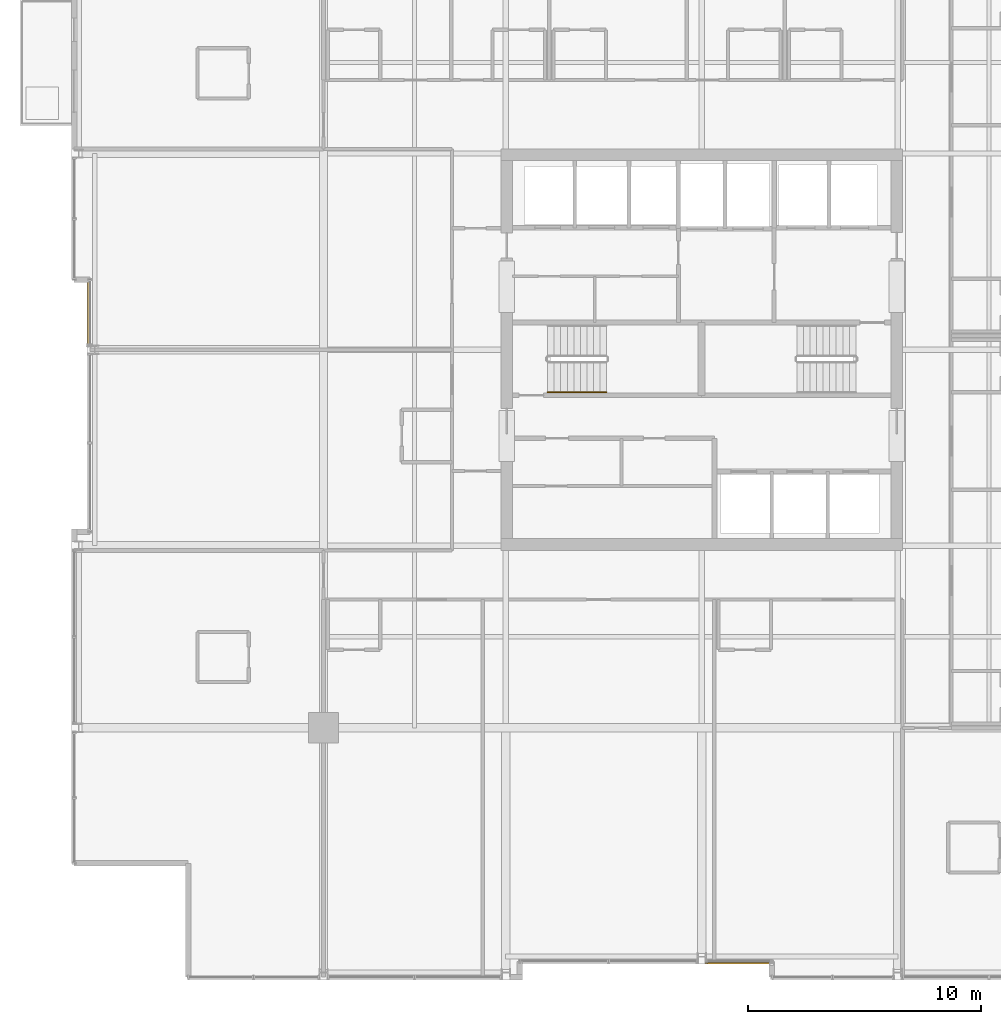
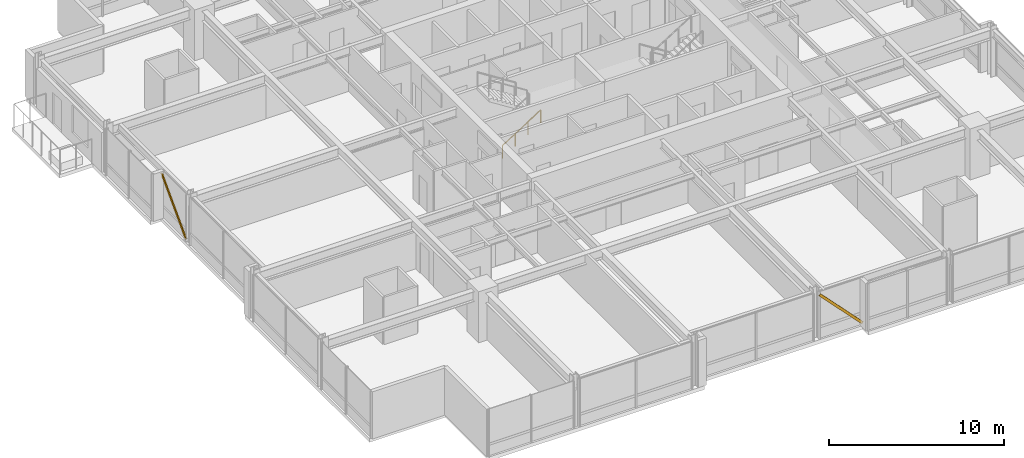
# One storey, part 30 of 32: 2 shading devices, 1 railing.
"""IFC4 building model written with IfcOpenShell, lengths in metres."""

from ifc_helpers import new_model, si_unit, direction, frame, origin, origin_2d, place, context, subcontext, project, spatial, hollow_rectangle, circle, extrude, material, material_profile, profile_set, type_object, element, save


model = new_model("IFC4")

# Units and contexts
model_context = context("Model", 3, precision=1e-05, world=origin(), true_north=direction((0.0, 1.0)))
body_context = subcontext(model_context, "Body", "Model", "MODEL_VIEW")
ifc_project = project(units=[si_unit("LENGTHUNIT", "METRE"), si_unit("AREAUNIT", "SQUARE_METRE"), si_unit("VOLUMEUNIT", "CUBIC_METRE"), si_unit("PLANEANGLEUNIT", "RADIAN"), si_unit("MASSUNIT", "GRAM", prefix="KILO")], contexts=[model_context])

# Site, building, storey
site_placement = place(None, origin())
site = spatial("IfcSite", under=ifc_project, at=site_placement, CompositionType="ELEMENT")
building_placement = place(site_placement, origin())
building = spatial("IfcBuilding", under=site, at=building_placement, Name="Drelvath Grand Hotel", CompositionType="ELEMENT")
storey_placement = place(building_placement, frame((0.0, 0.0, 189.449951171875)))
storey = spatial("IfcBuildingStorey", under=building, at=storey_placement, Name="L49", CompositionType="ELEMENT", Elevation=189.449951171875)

# Railing
ifc_material_1 = material(Name="Painted Steel S275", Category="steel")
railing_type = type_object("IfcRailingType", Name="Core Stair Wall Handrail 900", PredefinedType="HANDRAIL", material=ifc_material_1)
railing_placement = place(storey_placement, frame((-6.60009765625, 25.169921875, 0.177490234375)))
element("IfcRailing", 1, at=railing_placement, inside=storey, type_object=railing_type, Name="L49 ST-1 stair handrail 1", PredefinedType="HANDRAIL", context=body_context, shape_type="SweptSolid", body=[
    extrude(circle(Radius=0.02392578125, at=origin_2d()), frame((0.0, 0.0, 0.8759765625), z_axis=(0.84456994832, 0.0, 0.535445237532), x_axis=(0.0, 1.0, 0.0)), (0.0, 0.0, 1.0), 2.98388671875),
    extrude(circle(Radius=0.02099609375, at=origin_2d()), origin(), (0.0, 0.0, 1.0), 0.851806640625),
    extrude(circle(Radius=0.02099609375, at=origin_2d()), frame((0.840087890625, 0.0, 0.532470703125)), (0.0, 0.0, 1.0), 0.851806640625),
    extrude(circle(Radius=0.02099609375, at=origin_2d()), frame((1.679931640625, 0.0, 1.065185546875)), (0.0, 0.0, 1.0), 0.851806640625),
    extrude(circle(Radius=0.02099609375, at=origin_2d()), frame((2.52001953125, 0.0, 1.59765625)), (0.0, 0.0, 1.0), 0.851806640625),
])

# Shading devices
ifc_material_2 = material(Name="Brushed Pale-Silver Anodised Aluminium", Category="aluminium")
ifc_material_profile = material_profile(ifc_material_2, hollow_rectangle(XDim=0.06494140625, YDim=0.159912109375, WallThickness=0.00390625, at=origin_2d()), Name="HSS160X65X4")
ifc_profile_set = profile_set([ifc_material_profile], Name="Brushed Pale-Silver Anodised Aluminium")
shading_device_type = type_object("IfcShadingDeviceType", Name="Diagonal Solar Fin Pale-Silver Anodised HSS160X65X4", PredefinedType="USERDEFINED", material=ifc_profile_set)
for number, where, z_axis, x_axis, name in (
    (2, (-26.280029296875, 27.191650390625, 0.179931640625), (0.0, 0.691939331192, 0.721955650958), (-1.0, 0.0, 0.0), "L49 Diagonal Anodised Fin CW04-L49-WM2"),
    (3, (3.0, 0.719970703125, 0.179931640625), (-0.691939331192, 0.0, 0.721955650958), (0.0, -1.0, 0.0), "L49 Diagonal Anodised Fin CW04-L49-SM2"),
):
    element("IfcShadingDevice", number, at=place(storey_placement, frame(where, z_axis=z_axis, x_axis=x_axis)), inside=storey, type_object=shading_device_type, Name=name, ObjectType="FIN", PredefinedType="USERDEFINED", context=body_context, shape_type="SweptSolid", body=[
        extrude(hollow_rectangle(XDim=0.06494140625, YDim=0.159912109375, WallThickness=0.00390625, at=origin_2d()), origin(), (0.0, 0.0, 1.0), 4.05859375),
    ])

save(model, "model.ifc")
